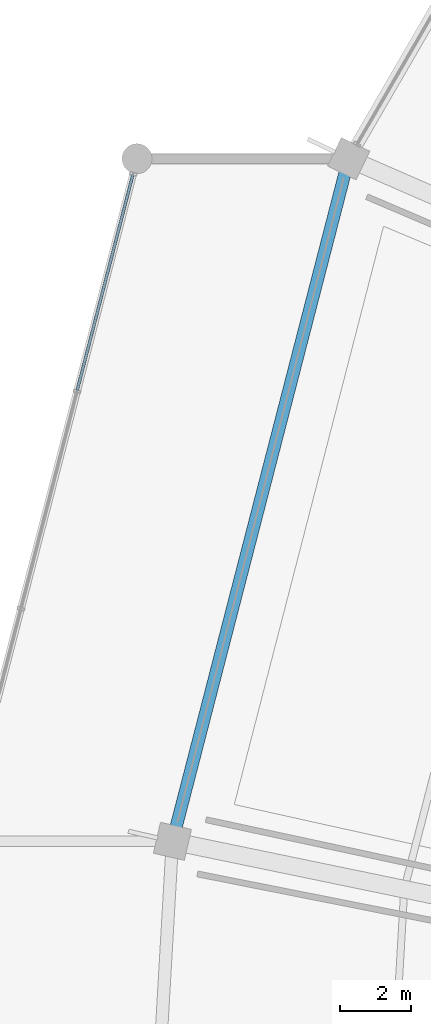
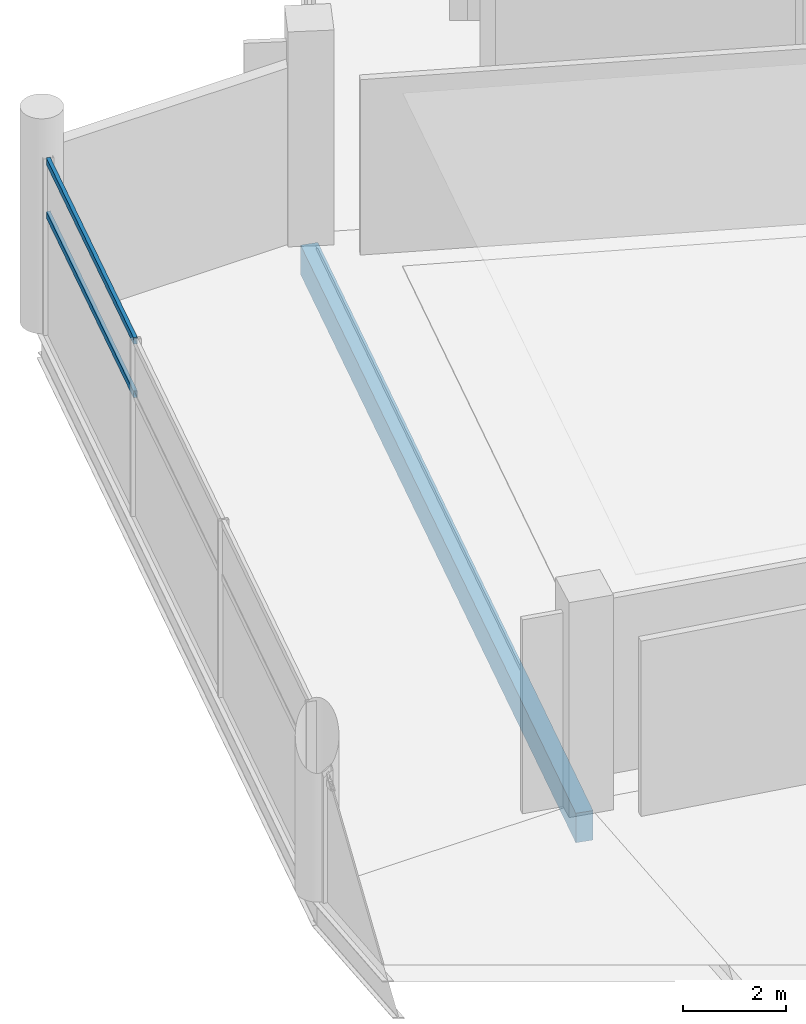
# One storey, part 53 of 184: 2 members, 1 beam, 1 element without a shape of its own.
"""IFC4 building model written with IfcOpenShell, lengths in metres."""

from ifc_helpers import new_model, si_unit, direction, frame, origin, origin_2d, place, context, subcontext, project, spatial, rectangle, hollow_rectangle, extrude, material, layer, layer_set, material_profile, profile_set, type_object, element, aggregate, save


model = new_model("IFC4")

# Units and contexts
model_context = context("Model", 3, precision=1e-05, world=origin(), true_north=direction((0.0, 1.0)))
body_context = subcontext(model_context, "Body", "Model", "MODEL_VIEW")
ifc_project = project(units=[si_unit("LENGTHUNIT", "METRE"), si_unit("AREAUNIT", "SQUARE_METRE"), si_unit("VOLUMEUNIT", "CUBIC_METRE"), si_unit("PLANEANGLEUNIT", "RADIAN"), si_unit("MASSUNIT", "GRAM", prefix="KILO")], contexts=[model_context])

# Site, building, storey
site_placement = place(None, origin())
site = spatial("IfcSite", under=ifc_project, at=site_placement, CompositionType="ELEMENT")
building_placement = place(site_placement, origin())
building = spatial("IfcBuilding", under=site, at=building_placement, Name="Kazemori Nagisa Stadium", CompositionType="ELEMENT")
storey_placement = place(building_placement, frame((0.0, 0.0, 10.5400390625)))
storey = spatial("IfcBuildingStorey", under=building, at=storey_placement, Name="L02", CompositionType="ELEMENT", Elevation=10.5400390625)

# Beam
ifc_material_1 = material(Name="Concrete C40/50 (Fc42)", Category="concrete")
ifc_material_profile_1 = material_profile(ifc_material_1, rectangle(XDim=0.35009765625, YDim=0.699951171875, at=origin_2d()), Name="RC-SP-350x700")
ifc_profile_set_1 = profile_set([ifc_material_profile_1], Name="Concrete C40/50 (Fc42)")
beam_type = type_object("IfcBeamType", Name="Beam_BS-RC350X700", PredefinedType="SPANDREL", material=ifc_profile_set_1)
beam_placement = place(storey_placement, frame((34.114990234375, 140.74951171875, -0.610107421875), z_axis=(-0.249964097999, -0.968255105699, 0.0), x_axis=(0.968255105699, -0.249964097999, 0.0)))
element("IfcBeam", 1, at=beam_placement, inside=storey, type_object=beam_type, Name="Ring girder BS-RC350X700 L02 R3-13", PredefinedType="SPANDREL", context=body_context, shape_type="SweptSolid", body=[
    extrude(rectangle(XDim=0.35009765625, YDim=0.699951171875, at=origin_2d()), origin(), (0.0, 0.0, 1.0), 19.986328125),
])

# Curtain wall, members
ifc_material_2 = material(Name="Anodised aluminium 6063-T5", Category="aluminium")
ifc_layer = layer(ifc_material_2, 0.2099609375, Name="Anodised aluminium 6063-T5", Category="aluminium")
ifc_layer_set = layer_set([ifc_layer], Name="Anodised aluminium 6063-T5")
curtain_wall_type = type_object("IfcCurtainWallType", Name="CW_L02R3_96", PredefinedType="USERDEFINED", material=ifc_layer_set)
curtain_wall_placement = place(storey_placement, origin())
curtain_wall = element("IfcCurtainWall", 2, at=curtain_wall_placement, inside=storey, type_object=curtain_wall_type, Name="Unitised curtain wall CW-L02R3-96 L02", ObjectType="UNITISED CURTAIN WALL", PredefinedType="USERDEFINED")
ifc_material_3 = material(Name="Aluminium 6063-T5 anodised", Category="aluminium")
ifc_material_profile_2 = material_profile(ifc_material_3, hollow_rectangle(XDim=0.080078125, YDim=0.159912109375, WallThickness=0.00390625, at=origin_2d()), Name="ALU-TRAN-80x160x4")
ifc_profile_set_2 = profile_set([ifc_material_profile_2], Name="Aluminium 6063-T5 anodised")
member_type = type_object("IfcMemberType", Name="Transom_T02", PredefinedType="USERDEFINED", material=ifc_profile_set_2)
member_1_placement = place(storey_placement, frame((27.998779296875, 140.29931640625, 2.84912109375), z_axis=(-0.249948056089, -0.968259246926, 0.0), x_axis=(0.968259246926, -0.249948056089, 0.0)))
member_1 = element("IfcMember", 3, at=member_1_placement, type_object=member_type, Name="Curtain wall transom CW-L02R3-96-T1-mid", ObjectType="TRANSOM", PredefinedType="USERDEFINED", context=body_context, shape_type="SweptSolid", body=[
    extrude(hollow_rectangle(XDim=0.080078125, YDim=0.159912109375, WallThickness=0.00390625, at=origin_2d()), origin(), (0.0, 0.0, 1.0), 6.325439453125),
])
member_2_placement = place(storey_placement, frame((27.998779296875, 140.29931640625, 4.119873046875), z_axis=(-0.249948056089, -0.968259246926, 0.0), x_axis=(0.968259246926, -0.249948056089, 0.0)))
member_2 = element("IfcMember", 4, at=member_2_placement, type_object=member_type, Name="Curtain wall transom CW-L02R3-96-T1-head", ObjectType="TRANSOM", PredefinedType="USERDEFINED", context=body_context, shape_type="SweptSolid", body=[
    extrude(hollow_rectangle(XDim=0.080078125, YDim=0.159912109375, WallThickness=0.00390625, at=origin_2d()), origin(), (0.0, 0.0, 1.0), 6.325439453125),
])
aggregate(curtain_wall, [member_1, member_2])

save(model, "model.ifc")
